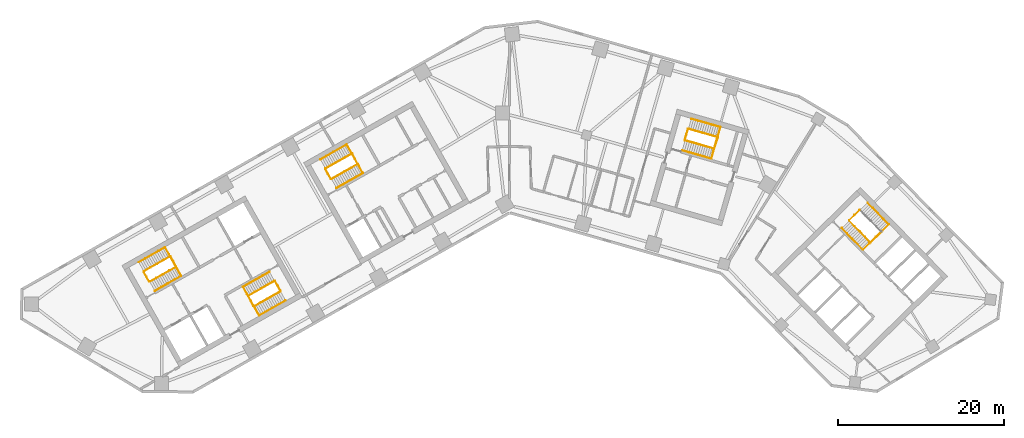
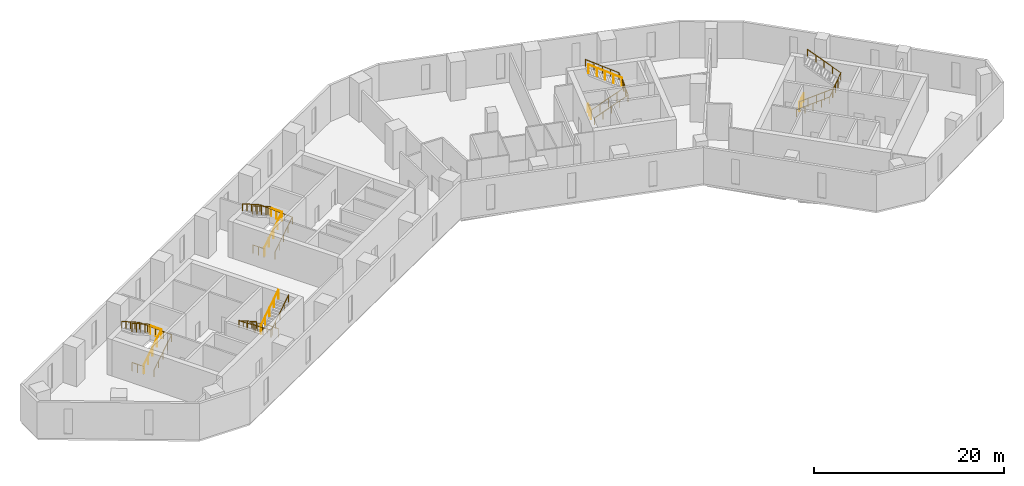
# One storey, part 9 of 10: 19 railings.
"""IFC4 building model written with IfcOpenShell, lengths in metres."""

from ifc_helpers import new_model, si_unit, direction, frame, origin, origin_2d, place, context, subcontext, project, spatial, circle, extrude, material, type_object, element, save


model = new_model("IFC4")

# Units and contexts
model_context = context("Model", 3, precision=1e-05, world=origin(), true_north=direction((0.0, 1.0)))
body_context = subcontext(model_context, "Body", "Model", "MODEL_VIEW")
ifc_project = project(units=[si_unit("LENGTHUNIT", "METRE"), si_unit("AREAUNIT", "SQUARE_METRE"), si_unit("VOLUMEUNIT", "CUBIC_METRE"), si_unit("PLANEANGLEUNIT", "RADIAN"), si_unit("MASSUNIT", "GRAM", prefix="KILO")], contexts=[model_context])

# Site, building, storey
site_placement = place(None, origin())
site = spatial("IfcSite", under=ifc_project, at=site_placement, CompositionType="ELEMENT")
building_placement = place(site_placement, origin())
building = spatial("IfcBuilding", under=site, at=building_placement, Name="Binnacle Exchange Tower", CompositionType="ELEMENT")
storey_placement = place(building_placement, frame((0.0, 0.0, 31.5)))
storey = spatial("IfcBuildingStorey", under=building, at=storey_placement, Name="L06", CompositionType="ELEMENT", Elevation=31.5)

# Railings
ifc_material_1 = material(Name="Steel guard rail", Category="steel")
railing_type_1 = type_object("IfcRailingType", Name="STAIR GUARD 1100", PredefinedType="GUARDRAIL", material=ifc_material_1)
railing_1_placement = place(storey_placement, frame((-43.26171875, 39.71728515625, 0.178466796875)))
element("IfcRailing", 1, at=railing_1_placement, inside=storey, type_object=railing_type_1, Name="L06 STA1 stair guard 1", PredefinedType="GUARDRAIL", context=body_context, shape_type="SweptSolid", body=[
    extrude(circle(Radius=0.02392578125, at=origin_2d()), frame((0.0, 0.0, 1.076171875), z_axis=(0.733795554141, 0.415191658331, 0.537735968274), x_axis=(-0.492450612189, 0.870340390052, 0.0)), (0.0, 0.0, 1.0), 4.317138671875),
    extrude(circle(Radius=0.02392578125, at=origin_2d()), frame((3.16796875, 1.79248046875, 3.3974609375), z_axis=(-0.460963092712, 0.887419307406, 0.0), x_axis=(-0.887419307406, -0.460963092712, 0.0)), (0.0, 0.0, 1.0), 1.40087890625),
    extrude(circle(Radius=0.02099609375, at=origin_2d()), origin(), (0.0, 0.0, 1.0), 1.052001953125),
    extrude(circle(Radius=0.02099609375, at=origin_2d()), frame((0.7919921875, 0.4482421875, 0.580322265625)), (0.0, 0.0, 1.0), 1.052001953125),
    extrude(circle(Radius=0.02099609375, at=origin_2d()), frame((1.583984375, 0.896240234375, 1.16064453125)), (0.0, 0.0, 1.0), 1.052001953125),
    extrude(circle(Radius=0.02099609375, at=origin_2d()), frame((2.3759765625, 1.34423828125, 1.7412109375)), (0.0, 0.0, 1.0), 1.052001953125),
    extrude(circle(Radius=0.02099609375, at=origin_2d()), frame((3.16796875, 1.79248046875, 2.321533203125)), (0.0, 0.0, 1.0), 1.052001953125),
    extrude(circle(Radius=0.02099609375, at=origin_2d()), frame((2.84521484375, 2.4140625, 2.321533203125)), (0.0, 0.0, 1.0), 1.052001953125),
    extrude(circle(Radius=0.02099609375, at=origin_2d()), frame((2.522216796875, 3.03564453125, 2.321533203125)), (0.0, 0.0, 1.0), 1.052001953125),
])
railing_2_placement = place(storey_placement, frame((-40.8076171875, 42.771728515625, 2.678466796875)))
element("IfcRailing", 2, at=railing_2_placement, inside=storey, type_object=railing_type_1, Name="L06 STA1 stair guard 2", PredefinedType="GUARDRAIL", context=body_context, shape_type="SweptSolid", body=[
    extrude(circle(Radius=0.02392578125, at=origin_2d()), frame((0.0, 0.0, 1.076171875), z_axis=(-0.733821652932, -0.415174429824, 0.537713654753), x_axis=(0.492421866095, -0.870356654361, 0.0)), (0.0, 0.0, 1.0), 4.3173828125),
    extrude(circle(Radius=0.02099609375, at=origin_2d()), origin(), (0.0, 0.0, 1.0), 1.052001953125),
    extrude(circle(Radius=0.02099609375, at=origin_2d()), frame((-0.7919921875, -0.4482421875, 0.580322265625)), (0.0, 0.0, 1.0), 1.052001953125),
    extrude(circle(Radius=0.02099609375, at=origin_2d()), frame((-1.583984375, -0.896240234375, 1.16064453125)), (0.0, 0.0, 1.0), 1.052001953125),
    extrude(circle(Radius=0.02099609375, at=origin_2d()), frame((-2.376220703125, -1.34423828125, 1.7412109375)), (0.0, 0.0, 1.0), 1.052001953125),
    extrude(circle(Radius=0.02099609375, at=origin_2d()), frame((-3.168212890625, -1.79248046875, 2.321533203125)), (0.0, 0.0, 1.0), 1.052001953125),
])
railing_3_placement = place(storey_placement, frame((-43.329833984375, 39.736328125, 0.0)))
element("IfcRailing", 3, at=railing_3_placement, inside=storey, type_object=railing_type_1, Name="L06 STA1 stair guard 3", PredefinedType="GUARDRAIL", context=body_context, shape_type="SweptSolid", body=[
    extrude(circle(Radius=0.02392578125, at=origin_2d()), frame((0.0, 0.0, 1.076171875), z_axis=(-0.4924922531, 0.870316827734, 0.0), x_axis=(-0.870316827734, -0.4924922531, 0.0)), (0.0, 0.0, 1.0), 1.349853515625),
    extrude(circle(Radius=0.02099609375, at=origin_2d()), origin(), (0.0, 0.0, 1.0), 1.052001953125),
    extrude(circle(Radius=0.02099609375, at=origin_2d()), frame((-0.33251953125, 0.58740234375, 0.0)), (0.0, 0.0, 1.0), 1.052001953125),
    extrude(circle(Radius=0.02099609375, at=origin_2d()), frame((-0.664794921875, 1.1748046875, 0.0)), (0.0, 0.0, 1.0), 1.052001953125),
])
railing_4_placement = place(storey_placement, frame((-28.265380859375, 39.814453125, 0.178466796875)))
element("IfcRailing", 4, at=railing_4_placement, inside=storey, type_object=railing_type_1, Name="L06 STA2 stair guard 1", PredefinedType="GUARDRAIL", context=body_context, shape_type="SweptSolid", body=[
    extrude(circle(Radius=0.02392578125, at=origin_2d()), frame((0.0, 0.0, 1.076171875), z_axis=(-0.733821652932, -0.415174429824, 0.537713654753), x_axis=(0.492421866095, -0.870356654361, 0.0)), (0.0, 0.0, 1.0), 4.3173828125),
    extrude(circle(Radius=0.02392578125, at=origin_2d()), frame((-3.168212890625, -1.79248046875, 3.3974609375), z_axis=(0.461100321709, -0.887348011391, 0.0), x_axis=(0.887348011391, 0.461100321709, 0.0)), (0.0, 0.0, 1.0), 1.40087890625),
    extrude(circle(Radius=0.02099609375, at=origin_2d()), origin(), (0.0, 0.0, 1.0), 1.052001953125),
    extrude(circle(Radius=0.02099609375, at=origin_2d()), frame((-0.7919921875, -0.4482421875, 0.580322265625)), (0.0, 0.0, 1.0), 1.052001953125),
    extrude(circle(Radius=0.02099609375, at=origin_2d()), frame((-1.583984375, -0.896240234375, 1.16064453125)), (0.0, 0.0, 1.0), 1.052001953125),
    extrude(circle(Radius=0.02099609375, at=origin_2d()), frame((-2.376220703125, -1.34423828125, 1.7412109375)), (0.0, 0.0, 1.0), 1.052001953125),
    extrude(circle(Radius=0.02099609375, at=origin_2d()), frame((-3.168212890625, -1.79248046875, 2.321533203125)), (0.0, 0.0, 1.0), 1.052001953125),
    extrude(circle(Radius=0.02099609375, at=origin_2d()), frame((-2.84521484375, -2.4140625, 2.321533203125)), (0.0, 0.0, 1.0), 1.052001953125),
    extrude(circle(Radius=0.02099609375, at=origin_2d()), frame((-2.522216796875, -3.03564453125, 2.321533203125)), (0.0, 0.0, 1.0), 1.052001953125),
])
railing_5_placement = place(storey_placement, frame((-30.719482421875, 36.760009765625, 2.678466796875)))
element("IfcRailing", 5, at=railing_5_placement, inside=storey, type_object=railing_type_1, Name="L06 STA2 stair guard 2", PredefinedType="GUARDRAIL", context=body_context, shape_type="SweptSolid", body=[
    extrude(circle(Radius=0.02392578125, at=origin_2d()), frame((0.0, 0.0, 1.076171875), z_axis=(0.733795554141, 0.415191658331, 0.537735968274), x_axis=(-0.492450612189, 0.870340390052, 0.0)), (0.0, 0.0, 1.0), 4.317138671875),
    extrude(circle(Radius=0.02099609375, at=origin_2d()), origin(), (0.0, 0.0, 1.0), 1.052001953125),
    extrude(circle(Radius=0.02099609375, at=origin_2d()), frame((0.7919921875, 0.4482421875, 0.580322265625)), (0.0, 0.0, 1.0), 1.052001953125),
    extrude(circle(Radius=0.02099609375, at=origin_2d()), frame((1.583984375, 0.896240234375, 1.16064453125)), (0.0, 0.0, 1.0), 1.052001953125),
    extrude(circle(Radius=0.02099609375, at=origin_2d()), frame((2.3759765625, 1.34423828125, 1.7412109375)), (0.0, 0.0, 1.0), 1.052001953125),
    extrude(circle(Radius=0.02099609375, at=origin_2d()), frame((3.16796875, 1.79248046875, 2.321533203125)), (0.0, 0.0, 1.0), 1.052001953125),
])
railing_6_placement = place(storey_placement, frame((-28.197265625, 39.795654296875, 0.0)))
element("IfcRailing", 6, at=railing_6_placement, inside=storey, type_object=railing_type_1, Name="L06 STA2 stair guard 3", PredefinedType="GUARDRAIL", context=body_context, shape_type="SweptSolid", body=[
    extrude(circle(Radius=0.02392578125, at=origin_2d()), frame((0.0, 0.0, 1.076171875), z_axis=(0.49241474071, -0.870360685654, 0.0), x_axis=(0.870360685654, 0.49241474071, 0.0)), (0.0, 0.0, 1.0), 1.35009765625),
    extrude(circle(Radius=0.02099609375, at=origin_2d()), origin(), (0.0, 0.0, 1.0), 1.052001953125),
    extrude(circle(Radius=0.02099609375, at=origin_2d()), frame((0.33251953125, -0.58740234375, 0.0)), (0.0, 0.0, 1.0), 1.052001953125),
    extrude(circle(Radius=0.02099609375, at=origin_2d()), frame((0.664794921875, -1.175048828125, 0.0)), (0.0, 0.0, 1.0), 1.052001953125),
])
railing_7_placement = place(storey_placement, frame((40.822509765625, 47.046875, 0.178466796875)))
element("IfcRailing", 7, at=railing_7_placement, inside=storey, type_object=railing_type_1, Name="L06 STB1 stair guard 1", PredefinedType="GUARDRAIL", context=body_context, shape_type="SweptSolid", body=[
    extrude(circle(Radius=0.02392578125, at=origin_2d()), frame((0.0, 0.0, 1.076171875), z_axis=(0.590946962671, -0.60135215321, 0.537733461056), x_axis=(0.713250539553, 0.700909172309, 0.0)), (0.0, 0.0, 1.0), 4.317138671875),
    extrude(circle(Radius=0.02392578125, at=origin_2d()), frame((2.55126953125, -2.59619140625, 3.3974609375), z_axis=(0.732527851538, 0.680737061369, 0.0), x_axis=(-0.680737061369, 0.732527851538, 0.0)), (0.0, 0.0, 1.0), 1.80078125),
    extrude(circle(Radius=0.02099609375, at=origin_2d()), origin(), (0.0, 0.0, 1.0), 1.052001953125),
    extrude(circle(Radius=0.02099609375, at=origin_2d()), frame((0.6376953125, -0.64892578125, 0.580322265625)), (0.0, 0.0, 1.0), 1.052001953125),
    extrude(circle(Radius=0.02099609375, at=origin_2d()), frame((1.275634765625, -1.298095703125, 1.16064453125)), (0.0, 0.0, 1.0), 1.052001953125),
    extrude(circle(Radius=0.02099609375, at=origin_2d()), frame((1.91357421875, -1.947265625, 1.7412109375)), (0.0, 0.0, 1.0), 1.052001953125),
    extrude(circle(Radius=0.02099609375, at=origin_2d()), frame((2.55126953125, -2.59619140625, 2.321533203125)), (0.0, 0.0, 1.0), 1.052001953125),
    extrude(circle(Radius=0.02099609375, at=origin_2d()), frame((3.2109375, -1.9833984375, 2.321533203125)), (0.0, 0.0, 1.0), 1.052001953125),
    extrude(circle(Radius=0.02099609375, at=origin_2d()), frame((3.870361328125, -1.370361328125, 2.321533203125)), (0.0, 0.0, 1.0), 1.052001953125),
])
railing_8_placement = place(storey_placement, frame((40.8232421875, 47.117431640625, 0.0)))
element("IfcRailing", 8, at=railing_8_placement, inside=storey, type_object=railing_type_1, Name="L06 STB1 stair guard 3", PredefinedType="GUARDRAIL", context=body_context, shape_type="SweptSolid", body=[
    extrude(circle(Radius=0.02392578125, at=origin_2d()), frame((0.0, 0.0, 1.076171875), z_axis=(0.713218950569, 0.700941316052, 0.0), x_axis=(-0.700941316052, 0.713218950569, 0.0)), (0.0, 0.0, 1.0), 1.75),
    extrude(circle(Radius=0.02099609375, at=origin_2d()), origin(), (0.0, 0.0, 1.0), 1.052001953125),
    extrude(circle(Radius=0.02099609375, at=origin_2d()), frame((0.6240234375, 0.61328125, 0.0)), (0.0, 0.0, 1.0), 1.052001953125),
    extrude(circle(Radius=0.02099609375, at=origin_2d()), frame((1.248046875, 1.2265625, 0.0)), (0.0, 0.0, 1.0), 1.052001953125),
])
railing_9_placement = place(storey_placement, frame((-21.423828125, 52.07275390625, 0.178466796875)))
element("IfcRailing", 9, at=railing_9_placement, inside=storey, type_object=railing_type_1, Name="L06 STC1 stair guard 1", PredefinedType="GUARDRAIL", context=body_context, shape_type="SweptSolid", body=[
    extrude(circle(Radius=0.02392578125, at=origin_2d()), frame((0.0, 0.0, 1.076171875), z_axis=(0.733838880464, 0.415127627455, 0.537726278364), x_axis=(-0.492371057291, 0.870385398511, 0.0)), (0.0, 0.0, 1.0), 4.3173828125),
    extrude(circle(Radius=0.02392578125, at=origin_2d()), frame((3.168212890625, 1.792236328125, 3.3974609375), z_axis=(-0.461100321709, 0.887348011391, 0.0), x_axis=(-0.887348011391, -0.461100321709, 0.0)), (0.0, 0.0, 1.0), 1.40087890625),
    extrude(circle(Radius=0.02099609375, at=origin_2d()), origin(), (0.0, 0.0, 1.0), 1.052001953125),
    extrude(circle(Radius=0.02099609375, at=origin_2d()), frame((0.7919921875, 0.447998046875, 0.580322265625)), (0.0, 0.0, 1.0), 1.052001953125),
    extrude(circle(Radius=0.02099609375, at=origin_2d()), frame((1.583984375, 0.89599609375, 1.16064453125)), (0.0, 0.0, 1.0), 1.052001953125),
    extrude(circle(Radius=0.02099609375, at=origin_2d()), frame((2.376220703125, 1.34423828125, 1.7412109375)), (0.0, 0.0, 1.0), 1.052001953125),
    extrude(circle(Radius=0.02099609375, at=origin_2d()), frame((3.168212890625, 1.792236328125, 2.321533203125)), (0.0, 0.0, 1.0), 1.052001953125),
    extrude(circle(Radius=0.02099609375, at=origin_2d()), frame((2.84521484375, 2.413818359375, 2.321533203125)), (0.0, 0.0, 1.0), 1.052001953125),
    extrude(circle(Radius=0.02099609375, at=origin_2d()), frame((2.522216796875, 3.035400390625, 2.321533203125)), (0.0, 0.0, 1.0), 1.052001953125),
])
railing_10_placement = place(storey_placement, frame((-18.9697265625, 55.126953125, 2.678466796875)))
element("IfcRailing", 10, at=railing_10_placement, inside=storey, type_object=railing_type_1, Name="L06 STC1 stair guard 2", PredefinedType="GUARDRAIL", context=body_context, shape_type="SweptSolid", body=[
    extrude(circle(Radius=0.02392578125, at=origin_2d()), frame((0.0, 0.0, 1.076171875), z_axis=(-0.733812782489, -0.415144854829, 0.537748593457), x_axis=(0.492399802317, -0.870369137021, 0.0)), (0.0, 0.0, 1.0), 4.317138671875),
    extrude(circle(Radius=0.02099609375, at=origin_2d()), origin(), (0.0, 0.0, 1.0), 1.052001953125),
    extrude(circle(Radius=0.02099609375, at=origin_2d()), frame((-0.7919921875, -0.447998046875, 0.580322265625)), (0.0, 0.0, 1.0), 1.052001953125),
    extrude(circle(Radius=0.02099609375, at=origin_2d()), frame((-1.583984375, -0.89599609375, 1.16064453125)), (0.0, 0.0, 1.0), 1.052001953125),
    extrude(circle(Radius=0.02099609375, at=origin_2d()), frame((-2.3759765625, -1.34423828125, 1.7412109375)), (0.0, 0.0, 1.0), 1.052001953125),
    extrude(circle(Radius=0.02099609375, at=origin_2d()), frame((-3.16796875, -1.792236328125, 2.321533203125)), (0.0, 0.0, 1.0), 1.052001953125),
])
railing_11_placement = place(storey_placement, frame((-21.491943359375, 52.091552734375, 0.0)))
element("IfcRailing", 11, at=railing_11_placement, inside=storey, type_object=railing_type_1, Name="L06 STC1 stair guard 3", PredefinedType="GUARDRAIL", context=body_context, shape_type="SweptSolid", body=[
    extrude(circle(Radius=0.02392578125, at=origin_2d()), frame((0.0, 0.0, 1.076171875), z_axis=(-0.49241474071, 0.870360685654, 0.0), x_axis=(-0.870360685654, -0.49241474071, 0.0)), (0.0, 0.0, 1.0), 1.35009765625),
    extrude(circle(Radius=0.02099609375, at=origin_2d()), origin(), (0.0, 0.0, 1.0), 1.052001953125),
    extrude(circle(Radius=0.02099609375, at=origin_2d()), frame((-0.33251953125, 0.58740234375, 0.0)), (0.0, 0.0, 1.0), 1.052001953125),
    extrude(circle(Radius=0.02099609375, at=origin_2d()), frame((-0.664794921875, 1.175048828125, 0.0)), (0.0, 0.0, 1.0), 1.052001953125),
])
railing_12_placement = place(storey_placement, frame((21.086669921875, 56.71044921875, 0.178466796875)))
element("IfcRailing", 12, at=railing_12_placement, inside=storey, type_object=railing_type_1, Name="L06 STD1 stair guard 1", PredefinedType="GUARDRAIL", context=body_context, shape_type="SweptSolid", body=[
    extrude(circle(Radius=0.02392578125, at=origin_2d()), frame((0.0, 0.0, 1.076171875), z_axis=(0.810455892038, -0.232415135102, 0.537721537635), x_axis=(0.275659984683, 0.961255206927, 0.0)), (0.0, 0.0, 1.0), 4.3173828125),
    extrude(circle(Radius=0.02392578125, at=origin_2d()), frame((3.4990234375, -1.00341796875, 3.3974609375), z_axis=(0.309684985722, 0.950839213337, 0.0), x_axis=(-0.950839213337, 0.309684985722, 0.0)), (0.0, 0.0, 1.0), 1.40087890625),
    extrude(circle(Radius=0.02099609375, at=origin_2d()), origin(), (0.0, 0.0, 1.0), 1.052001953125),
    extrude(circle(Radius=0.02099609375, at=origin_2d()), frame((0.874755859375, -0.2509765625, 0.580322265625)), (0.0, 0.0, 1.0), 1.052001953125),
    extrude(circle(Radius=0.02099609375, at=origin_2d()), frame((1.74951171875, -0.501708984375, 1.16064453125)), (0.0, 0.0, 1.0), 1.052001953125),
    extrude(circle(Radius=0.02099609375, at=origin_2d()), frame((2.624267578125, -0.75244140625, 1.7412109375)), (0.0, 0.0, 1.0), 1.052001953125),
    extrude(circle(Radius=0.02099609375, at=origin_2d()), frame((3.4990234375, -1.00341796875, 2.321533203125)), (0.0, 0.0, 1.0), 1.052001953125),
    extrude(circle(Radius=0.02099609375, at=origin_2d()), frame((3.7158203125, -0.33740234375, 2.321533203125)), (0.0, 0.0, 1.0), 1.052001953125),
    extrude(circle(Radius=0.02099609375, at=origin_2d()), frame((3.932861328125, 0.32861328125, 2.321533203125)), (0.0, 0.0, 1.0), 1.052001953125),
])
railing_13_placement = place(storey_placement, frame((24.9853515625, 57.100830078125, 2.678466796875)))
element("IfcRailing", 13, at=railing_13_placement, inside=storey, type_object=railing_type_1, Name="L06 STD1 stair guard 2", PredefinedType="GUARDRAIL", context=body_context, shape_type="SweptSolid", body=[
    extrude(circle(Radius=0.02392578125, at=origin_2d()), frame((0.0, 0.0, 1.076171875), z_axis=(-0.810455892038, 0.232415135102, 0.537721537635), x_axis=(-0.275659984683, -0.961255206927, 0.0)), (0.0, 0.0, 1.0), 4.3173828125),
    extrude(circle(Radius=0.02099609375, at=origin_2d()), origin(), (0.0, 0.0, 1.0), 1.052001953125),
    extrude(circle(Radius=0.02099609375, at=origin_2d()), frame((-0.874755859375, 0.2509765625, 0.580322265625)), (0.0, 0.0, 1.0), 1.052001953125),
    extrude(circle(Radius=0.02099609375, at=origin_2d()), frame((-1.74951171875, 0.501708984375, 1.16064453125)), (0.0, 0.0, 1.0), 1.052001953125),
    extrude(circle(Radius=0.02099609375, at=origin_2d()), frame((-2.624267578125, 0.75244140625, 1.7412109375)), (0.0, 0.0, 1.0), 1.052001953125),
    extrude(circle(Radius=0.02099609375, at=origin_2d()), frame((-3.4990234375, 1.00341796875, 2.321533203125)), (0.0, 0.0, 1.0), 1.052001953125),
])
railing_14_placement = place(storey_placement, frame((21.05224609375, 56.772216796875, 0.0)))
element("IfcRailing", 14, at=railing_14_placement, inside=storey, type_object=railing_type_1, Name="L06 STD1 stair guard 3", PredefinedType="GUARDRAIL", context=body_context, shape_type="SweptSolid", body=[
    extrude(circle(Radius=0.02392578125, at=origin_2d()), frame((0.0, 0.0, 1.076171875), z_axis=(0.275795817769, 0.961216243569, 0.0), x_axis=(-0.961216243569, 0.275795817769, 0.0)), (0.0, 0.0, 1.0), 1.349853515625),
    extrude(circle(Radius=0.02099609375, at=origin_2d()), origin(), (0.0, 0.0, 1.0), 1.052001953125),
    extrude(circle(Radius=0.02099609375, at=origin_2d()), frame((0.18603515625, 0.64892578125, 0.0)), (0.0, 0.0, 1.0), 1.052001953125),
    extrude(circle(Radius=0.02099609375, at=origin_2d()), frame((0.372314453125, 1.297607421875, 0.0)), (0.0, 0.0, 1.0), 1.052001953125),
])
ifc_material_2 = material(Name="Steel handrail", Category="steel")
railing_type_2 = type_object("IfcRailingType", Name="STAIR HANDRAIL 900", PredefinedType="HANDRAIL", material=ifc_material_2)
railing_15_placement = place(storey_placement, frame((-42.646240234375, 38.62939453125, 0.178466796875)))
element("IfcRailing", 15, at=railing_15_placement, inside=storey, type_object=railing_type_2, Name="L06 STA1 stair handrail 1", PredefinedType="HANDRAIL", context=body_context, shape_type="SweptSolid", body=[
    extrude(circle(Radius=0.02392578125, at=origin_2d()), frame((0.0, 0.0, 0.8759765625), z_axis=(0.733821652932, 0.415174429824, 0.537713654753), x_axis=(-0.492421866095, 0.870356654361, 0.0)), (0.0, 0.0, 1.0), 4.3173828125),
    extrude(circle(Radius=0.02392578125, at=origin_2d()), frame((3.168212890625, 1.79248046875, 3.197265625), z_axis=(-0.491985021148, 0.869432866815, 0.045135674003), x_axis=(-0.870319839224, -0.492486931251, 0.0)), (0.0, 0.0, 1.0), 3.9541015625),
    extrude(circle(Radius=0.02392578125, at=origin_2d()), frame((1.222900390625, 5.230224609375, 3.3759765625), z_axis=(-0.733812782489, -0.415144854829, 0.537748593457), x_axis=(0.492399802317, -0.870369137021, 0.0)), (0.0, 0.0, 1.0), 4.317138671875),
    extrude(circle(Radius=0.02099609375, at=origin_2d()), origin(), (0.0, 0.0, 1.0), 0.851806640625),
    extrude(circle(Radius=0.02099609375, at=origin_2d()), frame((0.7919921875, 0.4482421875, 0.580322265625)), (0.0, 0.0, 1.0), 0.851806640625),
    extrude(circle(Radius=0.02099609375, at=origin_2d()), frame((1.583984375, 0.896240234375, 1.16064453125)), (0.0, 0.0, 1.0), 0.851806640625),
    extrude(circle(Radius=0.02099609375, at=origin_2d()), frame((2.376220703125, 1.34423828125, 1.7412109375)), (0.0, 0.0, 1.0), 0.851806640625),
    extrude(circle(Radius=0.02099609375, at=origin_2d()), frame((3.168212890625, 1.79248046875, 2.321533203125)), (0.0, 0.0, 1.0), 0.851806640625),
    extrude(circle(Radius=0.02099609375, at=origin_2d()), frame((2.681884765625, 2.65185546875, 2.3662109375)), (0.0, 0.0, 1.0), 0.851806640625),
    extrude(circle(Radius=0.02099609375, at=origin_2d()), frame((2.195556640625, 3.51123046875, 2.41064453125)), (0.0, 0.0, 1.0), 0.851806640625),
    extrude(circle(Radius=0.02099609375, at=origin_2d()), frame((1.709228515625, 4.370849609375, 2.455322265625)), (0.0, 0.0, 1.0), 0.851806640625),
    extrude(circle(Radius=0.02099609375, at=origin_2d()), frame((1.222900390625, 5.230224609375, 2.5)), (0.0, 0.0, 1.0), 0.851806640625),
    extrude(circle(Radius=0.02099609375, at=origin_2d()), frame((0.430908203125, 4.7822265625, 3.080322265625)), (0.0, 0.0, 1.0), 0.851806640625),
    extrude(circle(Radius=0.02099609375, at=origin_2d()), frame((-0.361083984375, 4.333984375, 3.66064453125)), (0.0, 0.0, 1.0), 0.851806640625),
    extrude(circle(Radius=0.02099609375, at=origin_2d()), frame((-1.153076171875, 3.885986328125, 4.2412109375)), (0.0, 0.0, 1.0), 0.851806640625),
    extrude(circle(Radius=0.02099609375, at=origin_2d()), frame((-1.945068359375, 3.43798828125, 4.821533203125)), (0.0, 0.0, 1.0), 0.851806640625),
])
railing_16_placement = place(storey_placement, frame((-28.880859375, 40.90234375, 0.178466796875)))
element("IfcRailing", 16, at=railing_16_placement, inside=storey, type_object=railing_type_2, Name="L06 STA2 stair handrail 1", PredefinedType="HANDRAIL", context=body_context, shape_type="SweptSolid", body=[
    extrude(circle(Radius=0.02392578125, at=origin_2d()), frame((0.0, 0.0, 0.8759765625), z_axis=(-0.733838880464, -0.415127627455, 0.537726278364), x_axis=(0.492371057291, -0.870385398511, 0.0)), (0.0, 0.0, 1.0), 4.3173828125),
    extrude(circle(Radius=0.02392578125, at=origin_2d()), frame((-3.168212890625, -1.792236328125, 3.197265625), z_axis=(0.491911810019, -0.86947434526, 0.045134621956), x_axis=(0.870361318571, 0.492413622004, 0.0)), (0.0, 0.0, 1.0), 3.9541015625),
    extrude(circle(Radius=0.02392578125, at=origin_2d()), frame((-1.22314453125, -5.230224609375, 3.3759765625), z_axis=(0.733821652932, 0.415174429824, 0.537713654753), x_axis=(-0.492421866095, 0.870356654361, 0.0)), (0.0, 0.0, 1.0), 4.3173828125),
    extrude(circle(Radius=0.02099609375, at=origin_2d()), origin(), (0.0, 0.0, 1.0), 0.851806640625),
    extrude(circle(Radius=0.02099609375, at=origin_2d()), frame((-0.7919921875, -0.447998046875, 0.580322265625)), (0.0, 0.0, 1.0), 0.851806640625),
    extrude(circle(Radius=0.02099609375, at=origin_2d()), frame((-1.583984375, -0.89599609375, 1.16064453125)), (0.0, 0.0, 1.0), 0.851806640625),
    extrude(circle(Radius=0.02099609375, at=origin_2d()), frame((-2.376220703125, -1.34423828125, 1.7412109375)), (0.0, 0.0, 1.0), 0.851806640625),
    extrude(circle(Radius=0.02099609375, at=origin_2d()), frame((-3.168212890625, -1.792236328125, 2.321533203125)), (0.0, 0.0, 1.0), 0.851806640625),
    extrude(circle(Radius=0.02099609375, at=origin_2d()), frame((-2.681884765625, -2.65185546875, 2.3662109375)), (0.0, 0.0, 1.0), 0.851806640625),
    extrude(circle(Radius=0.02099609375, at=origin_2d()), frame((-2.19580078125, -3.51123046875, 2.41064453125)), (0.0, 0.0, 1.0), 0.851806640625),
    extrude(circle(Radius=0.02099609375, at=origin_2d()), frame((-1.70947265625, -4.37060546875, 2.455322265625)), (0.0, 0.0, 1.0), 0.851806640625),
    extrude(circle(Radius=0.02099609375, at=origin_2d()), frame((-1.22314453125, -5.230224609375, 2.5)), (0.0, 0.0, 1.0), 0.851806640625),
    extrude(circle(Radius=0.02099609375, at=origin_2d()), frame((-0.43115234375, -4.7822265625, 3.080322265625)), (0.0, 0.0, 1.0), 0.851806640625),
    extrude(circle(Radius=0.02099609375, at=origin_2d()), frame((0.36083984375, -4.333984375, 3.66064453125)), (0.0, 0.0, 1.0), 0.851806640625),
    extrude(circle(Radius=0.02099609375, at=origin_2d()), frame((1.153076171875, -3.8857421875, 4.2412109375)), (0.0, 0.0, 1.0), 0.851806640625),
    extrude(circle(Radius=0.02099609375, at=origin_2d()), frame((1.945068359375, -3.437744140625, 4.821533203125)), (0.0, 0.0, 1.0), 0.851806640625),
])
railing_17_placement = place(storey_placement, frame((39.930908203125, 46.170654296875, 0.178466796875)))
element("IfcRailing", 17, at=railing_17_placement, inside=storey, type_object=railing_type_2, Name="L06 STB1 stair handrail 1", PredefinedType="HANDRAIL", context=body_context, shape_type="SweptSolid", body=[
    extrude(circle(Radius=0.02392578125, at=origin_2d()), frame((0.0, 0.0, 0.8759765625), z_axis=(0.590983762497, -0.601332057257, 0.53771549111), x_axis=(0.713217009097, 0.700943291525, 0.0)), (0.0, 0.0, 1.0), 4.3173828125),
    extrude(circle(Radius=0.02392578125, at=origin_2d()), frame((2.551513671875, -2.59619140625, 3.197265625), z_axis=(0.712654164256, 0.700316745611, 0.040993877406), x_axis=(-0.700905928746, 0.713253726978, 0.0)), (0.0, 0.0, 1.0), 4.353515625),
    extrude(circle(Radius=0.02392578125, at=origin_2d()), frame((5.654052734375, 0.45263671875, 3.3759765625), z_axis=(-0.590926866753, 0.601388251475, 0.537715174732), x_axis=(-0.713283488215, -0.700875641922, 0.0)), (0.0, 0.0, 1.0), 4.3173828125),
    extrude(circle(Radius=0.02099609375, at=origin_2d()), origin(), (0.0, 0.0, 1.0), 0.851806640625),
    extrude(circle(Radius=0.02099609375, at=origin_2d()), frame((0.637939453125, -0.64892578125, 0.580322265625)), (0.0, 0.0, 1.0), 0.851806640625),
    extrude(circle(Radius=0.02099609375, at=origin_2d()), frame((1.27587890625, -1.298095703125, 1.16064453125)), (0.0, 0.0, 1.0), 0.851806640625),
    extrude(circle(Radius=0.02099609375, at=origin_2d()), frame((1.91357421875, -1.947265625, 1.7412109375)), (0.0, 0.0, 1.0), 0.851806640625),
    extrude(circle(Radius=0.02099609375, at=origin_2d()), frame((2.551513671875, -2.59619140625, 2.321533203125)), (0.0, 0.0, 1.0), 0.851806640625),
    extrude(circle(Radius=0.02099609375, at=origin_2d()), frame((3.3271484375, -1.833984375, 2.3662109375)), (0.0, 0.0, 1.0), 0.851806640625),
    extrude(circle(Radius=0.02099609375, at=origin_2d()), frame((4.102783203125, -1.07177734375, 2.41064453125)), (0.0, 0.0, 1.0), 0.851806640625),
    extrude(circle(Radius=0.02099609375, at=origin_2d()), frame((4.87841796875, -0.3095703125, 2.455322265625)), (0.0, 0.0, 1.0), 0.851806640625),
    extrude(circle(Radius=0.02099609375, at=origin_2d()), frame((5.654052734375, 0.45263671875, 2.5)), (0.0, 0.0, 1.0), 0.851806640625),
    extrude(circle(Radius=0.02099609375, at=origin_2d()), frame((5.01611328125, 1.101806640625, 3.080322265625)), (0.0, 0.0, 1.0), 0.851806640625),
    extrude(circle(Radius=0.02099609375, at=origin_2d()), frame((4.37841796875, 1.7509765625, 3.66064453125)), (0.0, 0.0, 1.0), 0.851806640625),
    extrude(circle(Radius=0.02099609375, at=origin_2d()), frame((3.74072265625, 2.39990234375, 4.2412109375)), (0.0, 0.0, 1.0), 0.851806640625),
    extrude(circle(Radius=0.02099609375, at=origin_2d()), frame((3.102783203125, 3.049072265625, 4.821533203125)), (0.0, 0.0, 1.0), 0.851806640625),
])
railing_18_placement = place(storey_placement, frame((-20.808349609375, 50.984619140625, 0.178466796875)))
element("IfcRailing", 18, at=railing_18_placement, inside=storey, type_object=railing_type_2, Name="L06 STC1 stair handrail 1", PredefinedType="HANDRAIL", context=body_context, shape_type="SweptSolid", body=[
    extrude(circle(Radius=0.02392578125, at=origin_2d()), frame((0.0, 0.0, 0.8759765625), z_axis=(0.733821652932, 0.415174429824, 0.537713654753), x_axis=(-0.492421866095, 0.870356654361, 0.0)), (0.0, 0.0, 1.0), 4.3173828125),
    extrude(circle(Radius=0.02392578125, at=origin_2d()), frame((3.168212890625, 1.79248046875, 3.197265625), z_axis=(-0.491911810019, 0.86947434526, 0.045134621956), x_axis=(-0.870361318571, -0.492413622004, 0.0)), (0.0, 0.0, 1.0), 3.9541015625),
    extrude(circle(Radius=0.02392578125, at=origin_2d()), frame((1.22314453125, 5.23046875, 3.3759765625), z_axis=(-0.733821652932, -0.415174429824, 0.537713654753), x_axis=(0.492421866095, -0.870356654361, 0.0)), (0.0, 0.0, 1.0), 4.3173828125),
    extrude(circle(Radius=0.02099609375, at=origin_2d()), origin(), (0.0, 0.0, 1.0), 0.851806640625),
    extrude(circle(Radius=0.02099609375, at=origin_2d()), frame((0.7919921875, 0.4482421875, 0.580322265625)), (0.0, 0.0, 1.0), 0.851806640625),
    extrude(circle(Radius=0.02099609375, at=origin_2d()), frame((1.583984375, 0.896240234375, 1.16064453125)), (0.0, 0.0, 1.0), 0.851806640625),
    extrude(circle(Radius=0.02099609375, at=origin_2d()), frame((2.376220703125, 1.34423828125, 1.7412109375)), (0.0, 0.0, 1.0), 0.851806640625),
    extrude(circle(Radius=0.02099609375, at=origin_2d()), frame((3.168212890625, 1.79248046875, 2.321533203125)), (0.0, 0.0, 1.0), 0.851806640625),
    extrude(circle(Radius=0.02099609375, at=origin_2d()), frame((2.681884765625, 2.65185546875, 2.3662109375)), (0.0, 0.0, 1.0), 0.851806640625),
    extrude(circle(Radius=0.02099609375, at=origin_2d()), frame((2.19580078125, 3.511474609375, 2.41064453125)), (0.0, 0.0, 1.0), 0.851806640625),
    extrude(circle(Radius=0.02099609375, at=origin_2d()), frame((1.70947265625, 4.37109375, 2.455322265625)), (0.0, 0.0, 1.0), 0.851806640625),
    extrude(circle(Radius=0.02099609375, at=origin_2d()), frame((1.22314453125, 5.23046875, 2.5)), (0.0, 0.0, 1.0), 0.851806640625),
    extrude(circle(Radius=0.02099609375, at=origin_2d()), frame((0.43115234375, 4.7822265625, 3.080322265625)), (0.0, 0.0, 1.0), 0.851806640625),
    extrude(circle(Radius=0.02099609375, at=origin_2d()), frame((-0.36083984375, 4.334228515625, 3.66064453125)), (0.0, 0.0, 1.0), 0.851806640625),
    extrude(circle(Radius=0.02099609375, at=origin_2d()), frame((-1.153076171875, 3.88623046875, 4.2412109375)), (0.0, 0.0, 1.0), 0.851806640625),
    extrude(circle(Radius=0.02099609375, at=origin_2d()), frame((-1.945068359375, 3.43798828125, 4.821533203125)), (0.0, 0.0, 1.0), 0.851806640625),
])
railing_19_placement = place(storey_placement, frame((20.7421875, 55.5087890625, 0.178466796875)))
element("IfcRailing", 19, at=railing_19_placement, inside=storey, type_object=railing_type_2, Name="L06 STD1 stair handrail 1", PredefinedType="HANDRAIL", context=body_context, shape_type="SweptSolid", body=[
    extrude(circle(Radius=0.02392578125, at=origin_2d()), frame((0.0, 0.0, 0.8759765625), z_axis=(0.810436485383, -0.2324257871, 0.537746182368), x_axis=(0.27567775811, 0.961250109848, 0.0)), (0.0, 0.0, 1.0), 4.317138671875),
    extrude(circle(Radius=0.02392578125, at=origin_2d()), frame((3.498779296875, -1.00341796875, 3.197265625), z_axis=(0.275370676617, 0.960278056821, 0.045133624351), x_axis=(-0.961257617982, 0.275651576943, 0.0)), (0.0, 0.0, 1.0), 3.9541015625),
    extrude(circle(Radius=0.02392578125, at=origin_2d()), frame((4.587646484375, 2.793701171875, 3.3759765625), z_axis=(-0.810466542589, 0.232361639932, 0.537728604067), x_axis=(-0.275598008994, -0.961272977587, 0.0)), (0.0, 0.0, 1.0), 4.3173828125),
    extrude(circle(Radius=0.02099609375, at=origin_2d()), origin(), (0.0, 0.0, 1.0), 0.851806640625),
    extrude(circle(Radius=0.02099609375, at=origin_2d()), frame((0.874755859375, -0.2509765625, 0.580322265625)), (0.0, 0.0, 1.0), 0.851806640625),
    extrude(circle(Radius=0.02099609375, at=origin_2d()), frame((1.74951171875, -0.501708984375, 1.16064453125)), (0.0, 0.0, 1.0), 0.851806640625),
    extrude(circle(Radius=0.02099609375, at=origin_2d()), frame((2.6240234375, -0.75244140625, 1.7412109375)), (0.0, 0.0, 1.0), 0.851806640625),
    extrude(circle(Radius=0.02099609375, at=origin_2d()), frame((3.498779296875, -1.00341796875, 2.321533203125)), (0.0, 0.0, 1.0), 0.851806640625),
    extrude(circle(Radius=0.02099609375, at=origin_2d()), frame((3.77099609375, -0.05419921875, 2.3662109375)), (0.0, 0.0, 1.0), 0.851806640625),
    extrude(circle(Radius=0.02099609375, at=origin_2d()), frame((4.043212890625, 0.89501953125, 2.41064453125)), (0.0, 0.0, 1.0), 0.851806640625),
    extrude(circle(Radius=0.02099609375, at=origin_2d()), frame((4.3154296875, 1.844482421875, 2.455322265625)), (0.0, 0.0, 1.0), 0.851806640625),
    extrude(circle(Radius=0.02099609375, at=origin_2d()), frame((4.587646484375, 2.793701171875, 2.5)), (0.0, 0.0, 1.0), 0.851806640625),
    extrude(circle(Radius=0.02099609375, at=origin_2d()), frame((3.712890625, 3.04443359375, 3.080322265625)), (0.0, 0.0, 1.0), 0.851806640625),
    extrude(circle(Radius=0.02099609375, at=origin_2d()), frame((2.838134765625, 3.29541015625, 3.66064453125)), (0.0, 0.0, 1.0), 0.851806640625),
    extrude(circle(Radius=0.02099609375, at=origin_2d()), frame((1.96337890625, 3.546142578125, 4.2412109375)), (0.0, 0.0, 1.0), 0.851806640625),
    extrude(circle(Radius=0.02099609375, at=origin_2d()), frame((1.088623046875, 3.796875, 4.821533203125)), (0.0, 0.0, 1.0), 0.851806640625),
])

save(model, "model.ifc")
